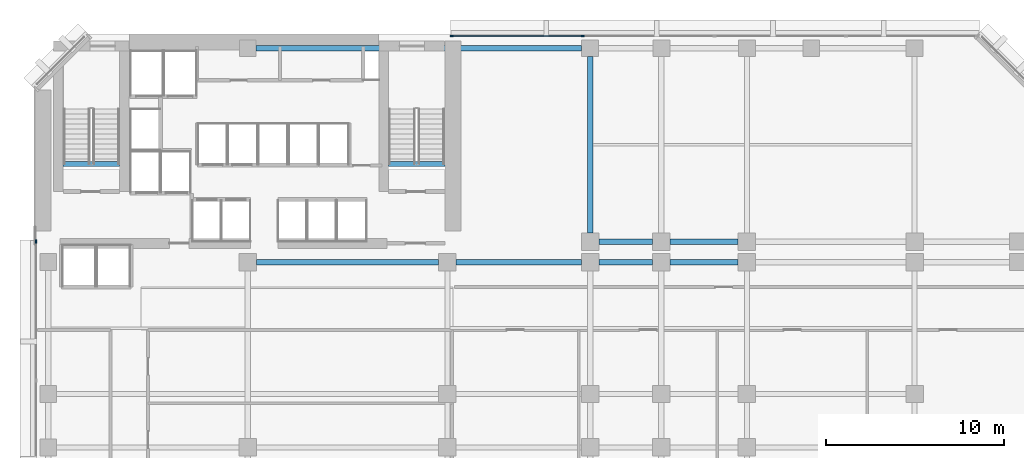
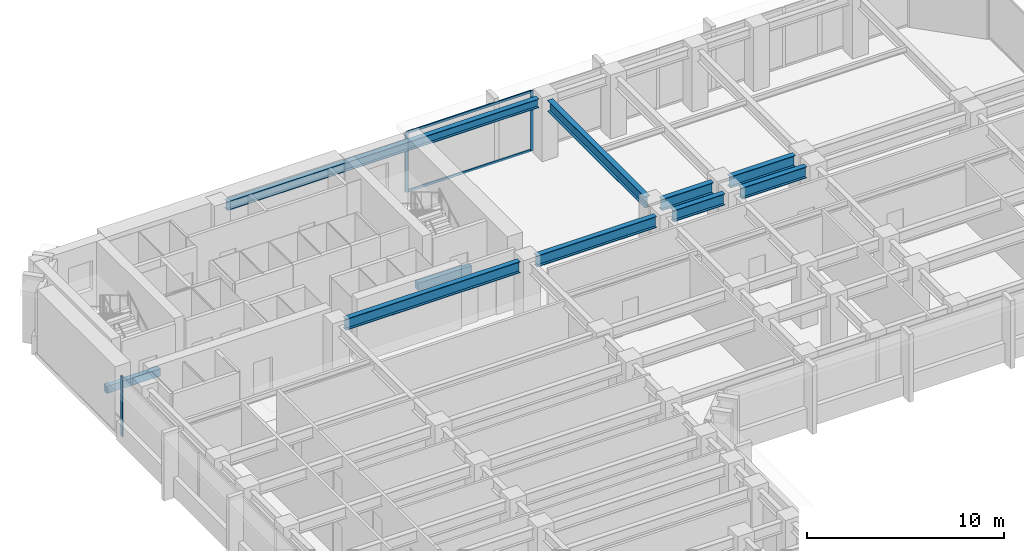
# One storey, part 4 of 13: 10 beams, 5 members, 2 elements without a shape of their own.
"""IFC4 building model written with IfcOpenShell, lengths in metres."""

from ifc_helpers import new_model, si_unit, direction, frame, origin, origin_2d, place, context, subcontext, project, spatial, rectangle, i_section, extrude, material, layer, layer_set, material_profile, profile_set, type_object, element, aggregate, save


model = new_model("IFC4")

# Units and contexts
model_context = context("Model", 3, precision=1e-05, world=origin(), true_north=direction((0.0, 1.0)))
body_context = subcontext(model_context, "Body", "Model", "MODEL_VIEW")
ifc_project = project(units=[si_unit("LENGTHUNIT", "METRE"), si_unit("AREAUNIT", "SQUARE_METRE"), si_unit("VOLUMEUNIT", "CUBIC_METRE"), si_unit("PLANEANGLEUNIT", "RADIAN"), si_unit("MASSUNIT", "GRAM", prefix="KILO")], contexts=[model_context])

# Site, building, storey
site_placement = place(None, origin())
site = spatial("IfcSite", under=ifc_project, at=site_placement, CompositionType="ELEMENT")
building_placement = place(site_placement, origin())
building = spatial("IfcBuilding", under=site, at=building_placement, Name="Kefirva Bronze Tower", CompositionType="ELEMENT")
storey_placement = place(building_placement, frame((0.0, 0.0, 77.8798828125)))
storey = spatial("IfcBuildingStorey", under=building, at=storey_placement, Name="L18", CompositionType="ELEMENT", Elevation=77.8798828125)

# Curtain wall, members
ifc_material_1 = material(Name="Bronze anodised aluminium", Category="aluminium")
ifc_layer = layer(ifc_material_1, 0.199951171875, Name="Bronze anodised aluminium")
ifc_layer_set = layer_set([ifc_layer], Name="Bronze anodised aluminium")
curtain_wall_type = type_object("IfcCurtainWallType", Name="Unitised Bronze Ribbon Curtain Wall Zone 1", PredefinedType="USERDEFINED", material=ifc_layer_set)
curtain_wall_1_placement = place(storey_placement, origin())
curtain_wall_1 = element("IfcCurtainWall", 1, at=curtain_wall_1_placement, inside=storey, type_object=curtain_wall_type, Name="L18 Curtain Wall 3", ObjectType="UNITISED CURTAIN WALL", PredefinedType="USERDEFINED")
ifc_material_profile_1 = material_profile(ifc_material_1, rectangle(XDim=0.074951171875, YDim=0.179931640625, at=origin_2d()), Name="ALU 75x180")
ifc_profile_set_1 = profile_set([ifc_material_profile_1], Name="Bronze anodised aluminium")
member_type_1 = type_object("IfcMemberType", Name="Bronze Mullion 75x180", PredefinedType="MULLION", material=ifc_profile_set_1)
member_1_placement = place(storey_placement, frame((30.7900390625, 45.8798828125, 0.0), z_axis=(0.0, 0.0, 1.0), x_axis=(0.0, -1.0, 0.0)))
member_1 = element("IfcMember", 2, at=member_1_placement, type_object=member_type_1, Name="CW-01 mullion 4", PredefinedType="MULLION", context=body_context, shape_type="SweptSolid", body=[
    extrude(rectangle(XDim=0.074951171875, YDim=0.179931640625, at=origin_2d()), origin(), (0.0, 0.0, 1.0), 3.710205078125),
])
member_2_placement = place(storey_placement, frame((23.4423828125, 45.8798828125, 0.0), z_axis=(0.0, 0.0, 1.0), x_axis=(0.0, -1.0, 0.0)))
member_2 = element("IfcMember", 3, at=member_2_placement, type_object=member_type_1, Name="CW-01 mullion 5", PredefinedType="MULLION", context=body_context, shape_type="SweptSolid", body=[
    extrude(rectangle(XDim=0.074951171875, YDim=0.179931640625, at=origin_2d()), origin(), (0.0, 0.0, 1.0), 3.710205078125),
])

# Curtain wall, member
curtain_wall_2_placement = place(storey_placement, origin())
curtain_wall_2 = element("IfcCurtainWall", 4, at=curtain_wall_2_placement, inside=storey, type_object=curtain_wall_type, Name="L18 Curtain Wall 4", ObjectType="UNITISED CURTAIN WALL", PredefinedType="USERDEFINED")
member_3_placement = place(storey_placement, frame((0.1201171875, 34.357421875, 0.0), z_axis=(0.0, 0.0, 1.0), x_axis=(1.0, 0.0, 0.0)))
member_3 = element("IfcMember", 5, at=member_3_placement, type_object=member_type_1, Name="CW-01 mullion 1", PredefinedType="MULLION", context=body_context, shape_type="SweptSolid", body=[
    extrude(rectangle(XDim=0.074951171875, YDim=0.179931640625, at=origin_2d()), origin(), (0.0, 0.0, 1.0), 3.710205078125),
])
aggregate(curtain_wall_2, [member_3])

# Member
ifc_material_profile_2 = material_profile(ifc_material_1, rectangle(XDim=0.074951171875, YDim=0.14990234375, at=origin_2d()), Name="ALU 75x150")
ifc_profile_set_2 = profile_set([ifc_material_profile_2], Name="Bronze anodised aluminium")
member_type_2 = type_object("IfcMemberType", Name="Bronze Transom 75x150", PredefinedType="USERDEFINED", material=ifc_profile_set_2)
member_4_placement = place(storey_placement, frame((30.75244140625, 45.8798828125, 0.03759765625), z_axis=(-1.0, 0.0, 0.0), x_axis=(0.0, -1.0, 0.0)))
member_4 = element("IfcMember", 6, at=member_4_placement, type_object=member_type_2, Name="CW-01 transom 4.1", ObjectType="TRANSOM", PredefinedType="USERDEFINED", context=body_context, shape_type="SweptSolid", body=[
    extrude(rectangle(XDim=0.074951171875, YDim=0.14990234375, at=origin_2d()), origin(), (0.0, 0.0, 1.0), 7.2724609375),
])

member_5_placement = place(storey_placement, frame((30.75244140625, 45.8798828125, 3.672607421875), z_axis=(-1.0, 0.0, 0.0), x_axis=(0.0, -1.0, 0.0)))
member_5 = element("IfcMember", 7, at=member_5_placement, type_object=member_type_2, Name="CW-01 transom 4.2", ObjectType="TRANSOM", PredefinedType="USERDEFINED", context=body_context, shape_type="SweptSolid", body=[
    extrude(rectangle(XDim=0.074951171875, YDim=0.14990234375, at=origin_2d()), origin(), (0.0, 0.0, 1.0), 7.2724609375),
])

aggregate(curtain_wall_1, [member_1, member_2, member_4, member_5])

# Beams
ifc_material_2 = material(Name="Concrete C50/60", Category="concrete")
ifc_material_profile_3 = material_profile(ifc_material_2, rectangle(XDim=0.300048828125, YDim=0.449951171875, at=origin_2d()), Name="RC 300x450")
ifc_profile_set_3 = profile_set([ifc_material_profile_3], Name="Concrete C50/60")
beam_type_1 = type_object("IfcBeamType", Name="RC Stair Trimmer Beam 300x450", PredefinedType="BEAM", material=ifc_profile_set_3)
beam_1_placement = place(storey_placement, frame((1.64501953125, 38.699951171875, -0.224853515625), z_axis=(1.0, 0.0, 0.0), x_axis=(0.0, 1.0, 0.0)))
element("IfcBeam", 8, at=beam_1_placement, inside=storey, type_object=beam_type_1, Name="L18 Stair 1 Landing Trimmer Beam", PredefinedType="BEAM", context=body_context, shape_type="SweptSolid", body=[
    extrude(rectangle(XDim=0.300048828125, YDim=0.449951171875, at=origin_2d()), origin(), (0.0, 0.0, 1.0), 3.14990234375),
])
beam_2_placement = place(storey_placement, frame((19.89501953125, 38.699951171875, -0.224853515625), z_axis=(1.0, 0.0, 0.0), x_axis=(0.0, 1.0, 0.0)))
element("IfcBeam", 9, at=beam_2_placement, inside=storey, type_object=beam_type_1, Name="L18 Stair 2 Landing Trimmer Beam", PredefinedType="BEAM", context=body_context, shape_type="SweptSolid", body=[
    extrude(rectangle(XDim=0.300048828125, YDim=0.449951171875, at=origin_2d()), origin(), (0.0, 0.0, 1.0), 3.159912109375),
])
ifc_material_3 = material(Name="Steel S355", Category="steel")
ifc_material_profile_4 = material_profile(ifc_material_3, i_section(OverallWidth=0.300048828125, OverallDepth=0.699951171875, WebThickness=0.01708984375, FlangeThickness=0.031982421875, at=origin_2d()), Name="HEB 700")
ifc_profile_set_4 = profile_set([ifc_material_profile_4], Name="Steel S355")
beam_type_2 = type_object("IfcBeamType", Name="Steel Girder HEB 700", PredefinedType="USERDEFINED", material=ifc_profile_set_4)
beam_3_placement = place(storey_placement, frame((12.489990234375, 33.199951171875, 3.360107421875), z_axis=(1.0, 0.0, 0.0), x_axis=(0.0, 1.0, 0.0)))
element("IfcBeam", 10, at=beam_3_placement, inside=storey, type_object=beam_type_2, Name="L18 BM-L18-EW-12-332", ObjectType="GIRDER", PredefinedType="USERDEFINED", context=body_context, shape_type="SweptSolid", body=[
    extrude(i_section(OverallWidth=0.300048828125, OverallDepth=0.699951171875, WebThickness=0.01708984375, FlangeThickness=0.031982421875, at=origin_2d()), origin(), (0.0, 0.0, 1.0), 10.219970703125),
])
beam_4_placement = place(storey_placement, frame((23.68994140625, 33.199951171875, 3.360107421875), z_axis=(1.0, 0.0, 0.0), x_axis=(0.0, 1.0, 0.0)))
element("IfcBeam", 11, at=beam_4_placement, inside=storey, type_object=beam_type_2, Name="L18 BM-L18-EW-23-332", ObjectType="GIRDER", PredefinedType="USERDEFINED", context=body_context, shape_type="SweptSolid", body=[
    extrude(i_section(OverallWidth=0.300048828125, OverallDepth=0.699951171875, WebThickness=0.01708984375, FlangeThickness=0.031982421875, at=origin_2d()), origin(), (0.0, 0.0, 1.0), 7.02001953125),
])
beam_5_placement = place(storey_placement, frame((31.68994140625, 33.199951171875, 3.360107421875), z_axis=(1.0, 0.0, 0.0), x_axis=(0.0, 1.0, 0.0)))
element("IfcBeam", 12, at=beam_5_placement, inside=storey, type_object=beam_type_2, Name="L18 BM-L18-EW-31-332", ObjectType="GIRDER", PredefinedType="USERDEFINED", context=body_context, shape_type="SweptSolid", body=[
    extrude(i_section(OverallWidth=0.300048828125, OverallDepth=0.699951171875, WebThickness=0.01708984375, FlangeThickness=0.031982421875, at=origin_2d()), origin(), (0.0, 0.0, 1.0), 3.02001953125),
])
beam_6_placement = place(storey_placement, frame((35.68994140625, 33.199951171875, 3.360107421875), z_axis=(1.0, 0.0, 0.0), x_axis=(0.0, 1.0, 0.0)))
element("IfcBeam", 13, at=beam_6_placement, inside=storey, type_object=beam_type_2, Name="L18 BM-L18-EW-35-332", ObjectType="GIRDER", PredefinedType="USERDEFINED", context=body_context, shape_type="SweptSolid", body=[
    extrude(i_section(OverallWidth=0.300048828125, OverallDepth=0.699951171875, WebThickness=0.01708984375, FlangeThickness=0.031982421875, at=origin_2d()), origin(), (0.0, 0.0, 1.0), 3.820068359375),
])
beam_7_placement = place(storey_placement, frame((31.68994140625, 34.35009765625, 3.360107421875), z_axis=(1.0, 0.0, 0.0), x_axis=(0.0, 1.0, 0.0)))
element("IfcBeam", 14, at=beam_7_placement, inside=storey, type_object=beam_type_2, Name="L18 BM-L18-EW-31-344", ObjectType="GIRDER", PredefinedType="USERDEFINED", context=body_context, shape_type="SweptSolid", body=[
    extrude(i_section(OverallWidth=0.300048828125, OverallDepth=0.699951171875, WebThickness=0.01708984375, FlangeThickness=0.031982421875, at=origin_2d()), origin(), (0.0, 0.0, 1.0), 3.02001953125),
])
beam_8_placement = place(storey_placement, frame((35.68994140625, 34.35009765625, 3.360107421875), z_axis=(1.0, 0.0, 0.0), x_axis=(0.0, 1.0, 0.0)))
element("IfcBeam", 15, at=beam_8_placement, inside=storey, type_object=beam_type_2, Name="L18 BM-L18-EW-35-344", ObjectType="GIRDER", PredefinedType="USERDEFINED", context=body_context, shape_type="SweptSolid", body=[
    extrude(i_section(OverallWidth=0.300048828125, OverallDepth=0.699951171875, WebThickness=0.01708984375, FlangeThickness=0.031982421875, at=origin_2d()), origin(), (0.0, 0.0, 1.0), 3.820068359375),
])
beam_9_placement = place(storey_placement, frame((31.199951171875, 34.840087890625, 3.360107421875), z_axis=(0.0, 1.0, 0.0), x_axis=(-1.0, 0.0, 0.0)))
element("IfcBeam", 16, at=beam_9_placement, inside=storey, type_object=beam_type_2, Name="L18 BM-L18-NS-312-34", ObjectType="GIRDER", PredefinedType="USERDEFINED", context=body_context, shape_type="SweptSolid", body=[
    extrude(i_section(OverallWidth=0.300048828125, OverallDepth=0.699951171875, WebThickness=0.01708984375, FlangeThickness=0.031982421875, at=origin_2d()), origin(), (0.0, 0.0, 1.0), 9.889892578125),
])
ifc_material_profile_5 = material_profile(ifc_material_3, i_section(OverallWidth=0.300048828125, OverallDepth=0.550048828125, WebThickness=0.014892578125, FlangeThickness=0.029052734375, at=origin_2d()), Name="HEB 550")
ifc_profile_set_5 = profile_set([ifc_material_profile_5], Name="Steel S355")
beam_type_3 = type_object("IfcBeamType", Name="Steel Spandrel HEB 550 Ext", PredefinedType="SPANDREL", material=ifc_profile_set_5)
beam_10_placement = place(storey_placement, frame((12.469970703125, 45.199951171875, 3.43505859375), z_axis=(1.0, 0.0, 0.0), x_axis=(0.0, 1.0, 0.0)))
element("IfcBeam", 17, at=beam_10_placement, inside=storey, type_object=beam_type_3, Name="L18 BM-L18-EW-12-452", PredefinedType="SPANDREL", context=body_context, shape_type="SweptSolid", body=[
    extrude(i_section(OverallWidth=0.300048828125, OverallDepth=0.550048828125, WebThickness=0.014892578125, FlangeThickness=0.029052734375, at=origin_2d()), origin(), (0.0, 0.0, 1.0), 18.260009765625),
])

save(model, "model.ifc")
